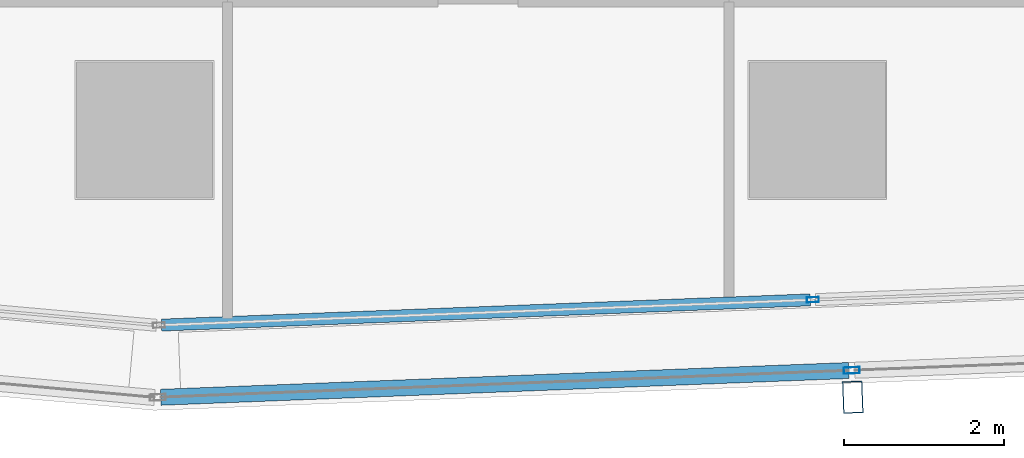
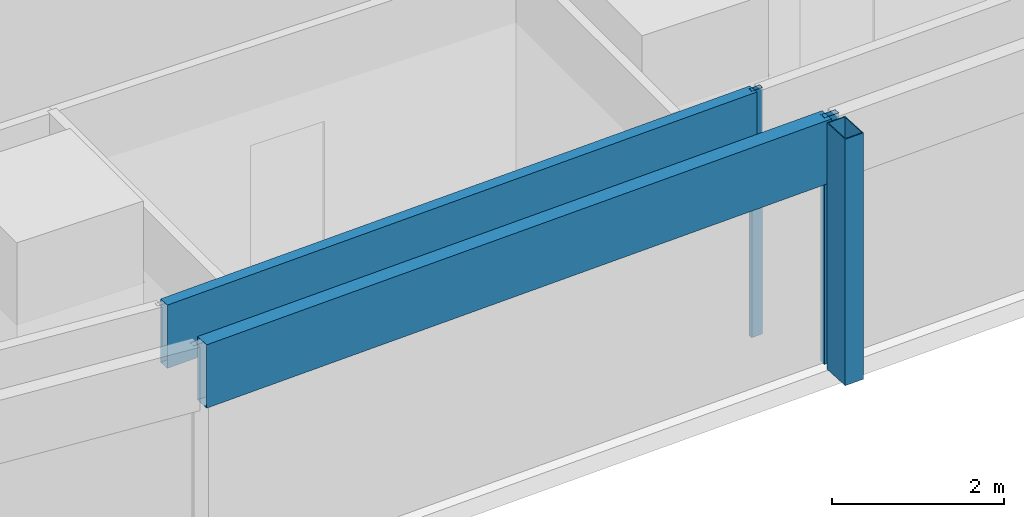
# One storey, part 6 of 40: 5 members, 2 elements without a shape of their own.
"""IFC4 building model written with IfcOpenShell, lengths in metres."""

from ifc_helpers import new_model, si_unit, direction, frame, origin, origin_2d, place, context, subcontext, project, spatial, hollow_rectangle, extrude, material, material_profile, profile_set, type_object, element, aggregate, save


model = new_model("IFC4")

# Units and contexts
model_context = context("Model", 3, precision=1e-05, world=origin(), true_north=direction((0.0, 1.0)))
body_context = subcontext(model_context, "Body", "Model", "MODEL_VIEW")
ifc_project = project(units=[si_unit("LENGTHUNIT", "METRE"), si_unit("AREAUNIT", "SQUARE_METRE"), si_unit("VOLUMEUNIT", "CUBIC_METRE"), si_unit("PLANEANGLEUNIT", "RADIAN"), si_unit("MASSUNIT", "GRAM", prefix="KILO")], contexts=[model_context])

# Site, building, storey
site_placement = place(None, origin())
site = spatial("IfcSite", under=ifc_project, at=site_placement, CompositionType="ELEMENT")
building_placement = place(site_placement, origin())
building = spatial("IfcBuilding", under=site, at=building_placement, Name="Rekha Terrace Tower", CompositionType="ELEMENT")
storey_placement = place(building_placement, frame((0.0, 0.0, 125.300048828125)))
storey = spatial("IfcBuildingStorey", under=building, at=storey_placement, Name="L31", CompositionType="ELEMENT", Elevation=125.300048828125)

# Curtain wall, member
ifc_material_1 = material(Name="Aluminium framing", Category="aluminium")
curtain_wall_type_1 = type_object("IfcCurtainWallType", Name="CW2 double skin outer glazing", PredefinedType="USERDEFINED", material=ifc_material_1)
curtain_wall_1_placement = place(storey_placement, origin())
curtain_wall_1 = element("IfcCurtainWall", 1, at=curtain_wall_1_placement, inside=storey, type_object=curtain_wall_type_1, Name="CW2 double skin outer glazing", ObjectType="DOUBLE SKIN OUTER GLAZING", PredefinedType="USERDEFINED")
ifc_material_2 = material(Name="Steel S355 with fluorocarbon finish", Category="steel")
ifc_material_profile_1 = material_profile(ifc_material_2, hollow_rectangle(XDim=0.25, YDim=0.39990234375, WallThickness=0.012451171875, at=origin_2d()), Name="RHS400x250x12.5")
ifc_profile_set_1 = profile_set([ifc_material_profile_1], Name="Steel S355 with fluorocarbon finish")
member_type_1 = type_object("IfcMemberType", Name="BL1 facade blade RHS 400 x 250", PredefinedType="USERDEFINED", material=ifc_profile_set_1)
member_1_placement = place(storey_placement, frame((34.042236328125, 13.46435546875, 0.0), z_axis=(0.0, 0.0, 1.0), x_axis=(0.999243494356, 0.038890088543, 0.0)))
member_1 = element("IfcMember", 2, at=member_1_placement, type_object=member_type_1, Name="Facade blade", ObjectType="FACADE BLADE", PredefinedType="USERDEFINED", context=body_context, shape_type="SweptSolid", body=[
    extrude(hollow_rectangle(XDim=0.25, YDim=0.39990234375, WallThickness=0.012451171875, at=origin_2d()), origin(), (0.0, 0.0, 1.0), 3.5),
])

# Curtain wall, members
curtain_wall_type_2 = type_object("IfcCurtainWallType", Name="CW1 double skin inner glazing", PredefinedType="USERDEFINED", material=ifc_material_1)
curtain_wall_2_placement = place(storey_placement, origin())
curtain_wall_2 = element("IfcCurtainWall", 3, at=curtain_wall_2_placement, inside=storey, type_object=curtain_wall_type_2, Name="CW1 double skin inner glazing", ObjectType="DOUBLE SKIN INNER GLAZING", PredefinedType="USERDEFINED")
ifc_material_3 = material(Name="Aluminium mullion section", Category="aluminium")
ifc_material_profile_2 = material_profile(ifc_material_3, hollow_rectangle(XDim=0.06494140625, YDim=0.14990234375, WallThickness=0.00390625, at=origin_2d()), Name="AL RHS 65x150")
ifc_profile_set_2 = profile_set([ifc_material_profile_2], Name="Aluminium mullion section")
member_type_2 = type_object("IfcMemberType", Name="CW1 mullion RHS 65 x 150", PredefinedType="MULLION", material=ifc_profile_set_2)
member_2_placement = place(storey_placement, frame((33.5439453125, 14.680908203125, 0.0), z_axis=(0.0, 0.0, 1.0), x_axis=(-0.038889971345, 0.999243498917, 0.0)))
member_2 = element("IfcMember", 4, at=member_2_placement, type_object=member_type_2, Name="CW1 mullion 2", PredefinedType="MULLION", context=body_context, shape_type="SweptSolid", body=[
    extrude(hollow_rectangle(XDim=0.06494140625, YDim=0.14990234375, WallThickness=0.00390625, at=origin_2d()), origin(), (0.0, 0.0, 1.0), 3.5),
])
ifc_material_4 = material(Name="Insulated aluminium spandrel box", Category="aluminium")
ifc_material_profile_3 = material_profile(ifc_material_4, hollow_rectangle(XDim=0.14990234375, YDim=0.89990234375, WallThickness=0.0029296875, at=origin_2d()), Name="AL SPANDREL BOX 150x900")
ifc_profile_set_3 = profile_set([ifc_material_profile_3], Name="Insulated aluminium spandrel box")
member_type_3 = type_object("IfcMemberType", Name="CW1 spandrel transom 150 x 900", PredefinedType="USERDEFINED", material=ifc_profile_set_3)
member_3_placement = place(storey_placement, frame((25.412353515625, 14.364501953125, 3.050048828125), z_axis=(0.999243630757, 0.038886583689, 0.0), x_axis=(-0.038886583689, 0.999243630757, 0.0)))
member_3 = element("IfcMember", 5, at=member_3_placement, type_object=member_type_3, Name="CW1 spandrel transom 1", ObjectType="TRANSOM", PredefinedType="USERDEFINED", context=body_context, shape_type="SweptSolid", body=[
    extrude(hollow_rectangle(XDim=0.14990234375, YDim=0.89990234375, WallThickness=0.0029296875, at=origin_2d()), origin(), (0.0, 0.0, 1.0), 8.105224609375),
])
aggregate(curtain_wall_2, [member_2, member_3])

# Member
ifc_material_profile_4 = material_profile(ifc_material_3, hollow_rectangle(XDim=0.080078125, YDim=0.199951171875, WallThickness=0.00390625, at=origin_2d()), Name="AL RHS 80x200")
ifc_profile_set_4 = profile_set([ifc_material_profile_4], Name="Aluminium mullion section")
member_type_4 = type_object("IfcMemberType", Name="CW2 mullion RHS 80 x 200", PredefinedType="MULLION", material=ifc_profile_set_4)
member_4_placement = place(storey_placement, frame((34.029052734375, 13.799072265625, 0.0), z_axis=(0.0, 0.0, 1.0), x_axis=(-0.038889971345, 0.999243498917, 0.0)))
member_4 = element("IfcMember", 6, at=member_4_placement, type_object=member_type_4, Name="CW2 mullion 2", PredefinedType="MULLION", context=body_context, shape_type="SweptSolid", body=[
    extrude(hollow_rectangle(XDim=0.080078125, YDim=0.199951171875, WallThickness=0.00390625, at=origin_2d()), origin(), (0.0, 0.0, 1.0), 3.5),
])

ifc_material_profile_5 = material_profile(ifc_material_4, hollow_rectangle(XDim=0.199951171875, YDim=0.89990234375, WallThickness=0.0029296875, at=origin_2d()), Name="AL SPANDREL BOX 200x900")
ifc_profile_set_5 = profile_set([ifc_material_profile_5], Name="Insulated aluminium spandrel box")
member_type_5 = type_object("IfcMemberType", Name="CW2 spandrel transom 200 x 900", PredefinedType="USERDEFINED", material=ifc_profile_set_5)
member_5_placement = place(storey_placement, frame((25.404052734375, 13.46337890625, 3.050048828125), z_axis=(0.999243058466, 0.038901286707, 0.0), x_axis=(-0.038901286707, 0.999243058466, 0.0)))
member_5 = element("IfcMember", 7, at=member_5_placement, type_object=member_type_5, Name="CW2 spandrel transom 1", ObjectType="TRANSOM", PredefinedType="USERDEFINED", context=body_context, shape_type="SweptSolid", body=[
    extrude(hollow_rectangle(XDim=0.199951171875, YDim=0.89990234375, WallThickness=0.0029296875, at=origin_2d()), origin(), (0.0, 0.0, 1.0), 8.591796875),
])

aggregate(curtain_wall_1, [member_4, member_5, member_1])

save(model, "model.ifc")
